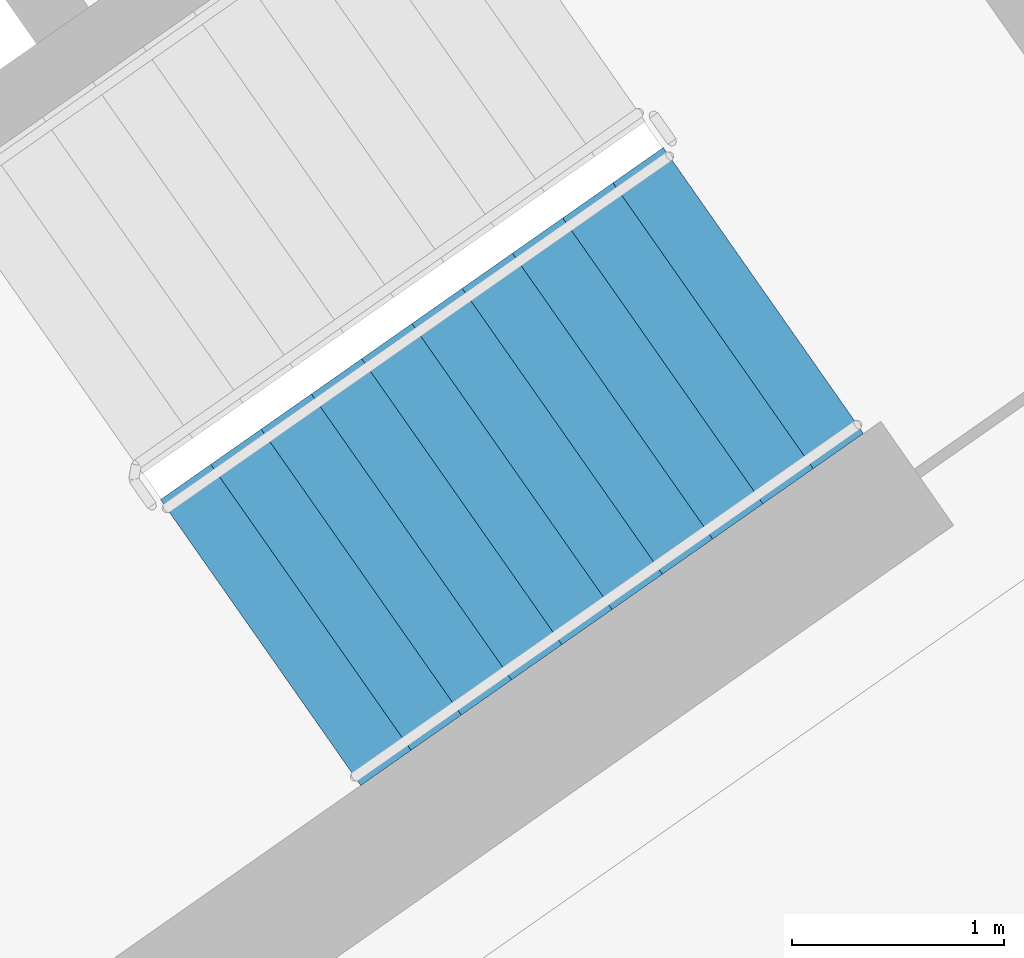
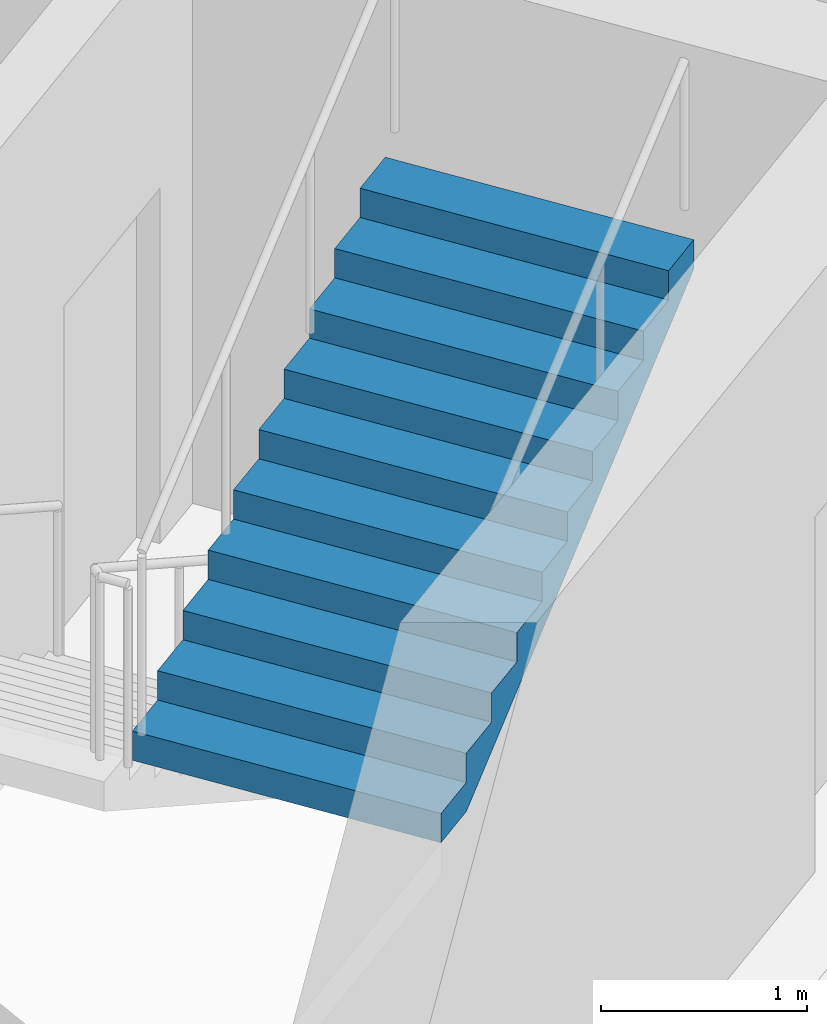
# One storey, part 13 of 27: 1 stair flight, 1 element without a shape of its own.
"""IFC4 building model written with IfcOpenShell, lengths in metres."""

from ifc_helpers import new_model, si_unit, direction, frame, origin, place, context, subcontext, project, spatial, faceted_brep, material, type_object, element, aggregate, save


model = new_model("IFC4")

# Units and contexts
model_context = context("Model", 3, precision=1e-05, world=origin(), true_north=direction((0.0, 1.0)))
body_context = subcontext(model_context, "Body", "Model", "MODEL_VIEW")
ifc_project = project(units=[si_unit("LENGTHUNIT", "METRE"), si_unit("AREAUNIT", "SQUARE_METRE"), si_unit("VOLUMEUNIT", "CUBIC_METRE"), si_unit("PLANEANGLEUNIT", "RADIAN"), si_unit("MASSUNIT", "GRAM", prefix="KILO")], contexts=[model_context])

# Site, building, storey
site_placement = place(None, origin())
site = spatial("IfcSite", under=ifc_project, at=site_placement, CompositionType="ELEMENT")
building_placement = place(site_placement, origin())
building = spatial("IfcBuilding", under=site, at=building_placement, Name="Qamariyya Broadcast Tower", CompositionType="ELEMENT")
storey_placement = place(building_placement, frame((0.0, 0.0, 237.89990234375)))
storey = spatial("IfcBuildingStorey", under=building, at=storey_placement, Name="L57", CompositionType="ELEMENT", Elevation=237.89990234375)

# Stair, stair flight
ifc_material = material(Name="Concrete C50/60", Category="concrete")
stair_type = type_object("IfcStairType", Name="Exit stair 22 risers of 173 mm", PredefinedType="HALF_TURN_STAIR", material=ifc_material)
stair_placement = place(storey_placement, origin())
stair = element("IfcStair", 1, at=stair_placement, inside=storey, type_object=stair_type, Name="L57 Stair E1", PredefinedType="HALF_TURN_STAIR")
stair_flight_type = type_object("IfcStairFlightType", Name="Exit stair flight 11 risers of 173 mm", PredefinedType="STRAIGHT", material=ifc_material)
stair_flight_placement = place(storey_placement, frame((44.693359375, -58.64599609375, 1.900146484375), z_axis=(0.0, 0.0, 1.0), x_axis=(0.819152044289, 0.573576436351, 0.0)))
stair_flight = element("IfcStairFlight", 2, at=stair_flight_placement, type_object=stair_flight_type, Name="ST-E1 flight 2", NumberOfRisers=11, NumberOfTreads=10, PredefinedType="STRAIGHT", RiserHeight=0.172727273, TreadLength=0.29, context=body_context, shape_type="Brep", body=[
    faceted_brep([(0.0, 0.824951171875, 0.0), (0.0, 0.824951171875, 0.172607421875), (0.2900390625, 0.824951171875, 0.172607421875), (0.2900390625, 0.824951171875, 0.345458984375), (0.580078125, 0.824951171875, 0.345458984375), (0.580078125, 0.824951171875, 0.51806640625), (0.8701171875, 0.824951171875, 0.51806640625), (0.8701171875, 0.824951171875, 0.69091796875), (1.159912109375, 0.824951171875, 0.69091796875), (1.159912109375, 0.824951171875, 0.863525390625), (1.449951171875, 0.824951171875, 0.863525390625), (1.449951171875, 0.824951171875, 1.036376953125), (1.739990234375, 0.824951171875, 1.036376953125), (1.739990234375, 0.824951171875, 1.208984375), (2.030029296875, 0.824951171875, 1.208984375), (2.030029296875, 0.824951171875, 1.3818359375), (2.320068359375, 0.824951171875, 1.3818359375), (2.320068359375, 0.824951171875, 1.554443359375), (2.610107421875, 0.824951171875, 1.554443359375), (2.610107421875, 0.824951171875, 1.727294921875), (2.89990234375, 0.824951171875, 1.727294921875), (2.89990234375, 0.824951171875, 1.552734375), (0.29296875, 0.824951171875, 0.0), (0.29296875, -0.824951171875, 0.0), (2.89990234375, -0.824951171875, 1.552734375), (2.89990234375, -0.824951171875, 1.727294921875), (2.610107421875, -0.824951171875, 1.727294921875), (2.610107421875, -0.824951171875, 1.554443359375), (2.320068359375, -0.824951171875, 1.554443359375), (2.320068359375, -0.824951171875, 1.3818359375), (2.030029296875, -0.824951171875, 1.3818359375), (2.030029296875, -0.824951171875, 1.208984375), (1.739990234375, -0.824951171875, 1.208984375), (1.739990234375, -0.824951171875, 1.036376953125), (1.449951171875, -0.824951171875, 1.036376953125), (1.449951171875, -0.824951171875, 0.863525390625), (1.159912109375, -0.824951171875, 0.863525390625), (1.159912109375, -0.824951171875, 0.69091796875), (0.8701171875, -0.824951171875, 0.69091796875), (0.8701171875, -0.824951171875, 0.51806640625), (0.580078125, -0.824951171875, 0.51806640625), (0.580078125, -0.824951171875, 0.345458984375), (0.2900390625, -0.824951171875, 0.345458984375), (0.2900390625, -0.824951171875, 0.172607421875), (0.0, -0.824951171875, 0.172607421875), (0.0, -0.824951171875, 0.0), (0.0, 0.10009765625, 0.0), (0.0, 0.086669921875, 0.0), (0.0, 0.0732421875, 0.0), (0.0, 0.06005859375, 0.0), (0.0, 0.046630859375, 0.0), (0.0, 0.033447265625, 0.0), (0.0, 0.02001953125, 0.0), (0.0, 0.006591796875, 0.0), (0.0, -0.006591796875, 0.0), (0.0, -0.02001953125, 0.0), (0.0, -0.033447265625, 0.0), (0.0, -0.046630859375, 0.0), (0.0, -0.06005859375, 0.0), (0.0, -0.0732421875, 0.0), (0.0, -0.086669921875, 0.0), (0.0, -0.10009765625, 0.0), (0.0, -0.10009765625, 0.172607421875), (0.0, -0.086669921875, 0.172607421875), (0.0, -0.0732421875, 0.172607421875), (0.0, -0.06005859375, 0.172607421875), (0.0, -0.046630859375, 0.172607421875), (0.0, -0.033447265625, 0.172607421875), (0.0, -0.02001953125, 0.172607421875), (0.0, -0.006591796875, 0.172607421875), (0.0, 0.006591796875, 0.172607421875), (0.0, 0.02001953125, 0.172607421875), (0.0, 0.033447265625, 0.172607421875), (0.0, 0.046630859375, 0.172607421875), (0.0, 0.06005859375, 0.172607421875), (0.0, 0.0732421875, 0.172607421875), (0.0, 0.086669921875, 0.172607421875), (0.0, 0.10009765625, 0.172607421875), (0.2900390625, -0.10009765625, 0.172607421875), (0.2900390625, -0.086669921875, 0.172607421875), (0.2900390625, -0.0732421875, 0.172607421875), (0.2900390625, -0.06005859375, 0.172607421875), (0.2900390625, -0.046630859375, 0.172607421875), (0.2900390625, -0.033447265625, 0.172607421875), (0.2900390625, -0.02001953125, 0.172607421875), (0.2900390625, -0.006591796875, 0.172607421875), (0.2900390625, 0.006591796875, 0.172607421875), (0.2900390625, 0.02001953125, 0.172607421875), (0.2900390625, 0.033447265625, 0.172607421875), (0.2900390625, 0.046630859375, 0.172607421875), (0.2900390625, 0.06005859375, 0.172607421875), (0.2900390625, 0.0732421875, 0.172607421875), (0.2900390625, 0.086669921875, 0.172607421875), (0.2900390625, 0.10009765625, 0.172607421875), (0.2900390625, -0.10009765625, 0.345458984375), (0.2900390625, -0.086669921875, 0.345458984375), (0.2900390625, -0.0732421875, 0.345458984375), (0.2900390625, -0.06005859375, 0.345458984375), (0.2900390625, -0.046630859375, 0.345458984375), (0.2900390625, -0.033447265625, 0.345458984375), (0.2900390625, -0.02001953125, 0.345458984375), (0.2900390625, -0.006591796875, 0.345458984375), (0.2900390625, 0.006591796875, 0.345458984375), (0.2900390625, 0.02001953125, 0.345458984375), (0.2900390625, 0.033447265625, 0.345458984375), (0.2900390625, 0.046630859375, 0.345458984375), (0.2900390625, 0.06005859375, 0.345458984375), (0.2900390625, 0.0732421875, 0.345458984375), (0.2900390625, 0.086669921875, 0.345458984375), (0.2900390625, 0.10009765625, 0.345458984375), (0.580078125, -0.10009765625, 0.345458984375), (0.580078125, -0.086669921875, 0.345458984375), (0.580078125, -0.0732421875, 0.345458984375), (0.580078125, -0.06005859375, 0.345458984375), (0.580078125, -0.046630859375, 0.345458984375), (0.580078125, -0.033447265625, 0.345458984375), (0.580078125, -0.02001953125, 0.345458984375), (0.580078125, -0.006591796875, 0.345458984375), (0.580078125, 0.006591796875, 0.345458984375), (0.580078125, 0.02001953125, 0.345458984375), (0.580078125, 0.033447265625, 0.345458984375), (0.580078125, 0.046630859375, 0.345458984375), (0.580078125, 0.06005859375, 0.345458984375), (0.580078125, 0.0732421875, 0.345458984375), (0.580078125, 0.086669921875, 0.345458984375), (0.580078125, 0.10009765625, 0.345458984375), (0.580078125, -0.10009765625, 0.51806640625), (0.580078125, -0.086669921875, 0.51806640625), (0.580078125, -0.0732421875, 0.51806640625), (0.580078125, -0.06005859375, 0.51806640625), (0.580078125, -0.046630859375, 0.51806640625), (0.580078125, -0.033447265625, 0.51806640625), (0.580078125, -0.02001953125, 0.51806640625), (0.580078125, -0.006591796875, 0.51806640625), (0.580078125, 0.006591796875, 0.51806640625), (0.580078125, 0.02001953125, 0.51806640625), (0.580078125, 0.033447265625, 0.51806640625), (0.580078125, 0.046630859375, 0.51806640625), (0.580078125, 0.06005859375, 0.51806640625), (0.580078125, 0.0732421875, 0.51806640625), (0.580078125, 0.086669921875, 0.51806640625), (0.580078125, 0.10009765625, 0.51806640625), (0.8701171875, -0.10009765625, 0.51806640625), (0.8701171875, -0.086669921875, 0.51806640625), (0.8701171875, -0.0732421875, 0.51806640625), (0.8701171875, -0.06005859375, 0.51806640625), (0.8701171875, -0.046630859375, 0.51806640625), (0.8701171875, -0.033447265625, 0.51806640625), (0.8701171875, -0.02001953125, 0.51806640625), (0.8701171875, -0.006591796875, 0.51806640625), (0.8701171875, 0.006591796875, 0.51806640625), (0.8701171875, 0.02001953125, 0.51806640625), (0.8701171875, 0.033447265625, 0.51806640625), (0.8701171875, 0.046630859375, 0.51806640625), (0.8701171875, 0.06005859375, 0.51806640625), (0.8701171875, 0.0732421875, 0.51806640625), (0.8701171875, 0.086669921875, 0.51806640625), (0.8701171875, 0.10009765625, 0.51806640625), (0.8701171875, -0.10009765625, 0.69091796875), (0.8701171875, -0.086669921875, 0.69091796875), (0.8701171875, -0.0732421875, 0.69091796875), (0.8701171875, -0.06005859375, 0.69091796875), (0.8701171875, -0.046630859375, 0.69091796875), (0.8701171875, -0.033447265625, 0.69091796875), (0.8701171875, -0.02001953125, 0.69091796875), (0.8701171875, -0.006591796875, 0.69091796875), (0.8701171875, 0.006591796875, 0.69091796875), (0.8701171875, 0.02001953125, 0.69091796875), (0.8701171875, 0.033447265625, 0.69091796875), (0.8701171875, 0.046630859375, 0.69091796875), (0.8701171875, 0.06005859375, 0.69091796875), (0.8701171875, 0.0732421875, 0.69091796875), (0.8701171875, 0.086669921875, 0.69091796875), (0.8701171875, 0.10009765625, 0.69091796875), (1.159912109375, -0.10009765625, 0.69091796875), (1.159912109375, -0.086669921875, 0.69091796875), (1.159912109375, -0.0732421875, 0.69091796875), (1.159912109375, -0.06005859375, 0.69091796875), (1.159912109375, -0.046630859375, 0.69091796875), (1.159912109375, -0.033447265625, 0.69091796875), (1.159912109375, -0.02001953125, 0.69091796875), (1.159912109375, -0.006591796875, 0.69091796875), (1.159912109375, 0.006591796875, 0.69091796875), (1.159912109375, 0.02001953125, 0.69091796875), (1.159912109375, 0.033447265625, 0.69091796875), (1.159912109375, 0.046630859375, 0.69091796875), (1.159912109375, 0.06005859375, 0.69091796875), (1.159912109375, 0.0732421875, 0.69091796875), (1.159912109375, 0.086669921875, 0.69091796875), (1.159912109375, 0.10009765625, 0.69091796875), (1.159912109375, -0.10009765625, 0.863525390625), (1.159912109375, -0.086669921875, 0.863525390625), (1.159912109375, -0.0732421875, 0.863525390625), (1.159912109375, -0.06005859375, 0.863525390625), (1.159912109375, -0.046630859375, 0.863525390625), (1.159912109375, -0.033447265625, 0.863525390625), (1.159912109375, -0.02001953125, 0.863525390625), (1.159912109375, -0.006591796875, 0.863525390625), (1.159912109375, 0.006591796875, 0.863525390625), (1.159912109375, 0.02001953125, 0.863525390625), (1.159912109375, 0.033447265625, 0.863525390625), (1.159912109375, 0.046630859375, 0.863525390625), (1.159912109375, 0.06005859375, 0.863525390625), (1.159912109375, 0.0732421875, 0.863525390625), (1.159912109375, 0.086669921875, 0.863525390625), (1.159912109375, 0.10009765625, 0.863525390625), (1.449951171875, -0.10009765625, 0.863525390625), (1.449951171875, -0.086669921875, 0.863525390625), (1.449951171875, -0.0732421875, 0.863525390625), (1.449951171875, -0.06005859375, 0.863525390625), (1.449951171875, -0.046630859375, 0.863525390625), (1.449951171875, -0.033447265625, 0.863525390625), (1.449951171875, -0.02001953125, 0.863525390625), (1.449951171875, -0.006591796875, 0.863525390625), (1.449951171875, 0.006591796875, 0.863525390625), (1.449951171875, 0.02001953125, 0.863525390625), (1.449951171875, 0.033447265625, 0.863525390625), (1.449951171875, 0.046630859375, 0.863525390625), (1.449951171875, 0.06005859375, 0.863525390625), (1.449951171875, 0.0732421875, 0.863525390625), (1.449951171875, 0.086669921875, 0.863525390625), (1.449951171875, 0.10009765625, 0.863525390625), (1.449951171875, -0.10009765625, 1.036376953125), (1.449951171875, -0.086669921875, 1.036376953125), (1.449951171875, -0.0732421875, 1.036376953125), (1.449951171875, -0.06005859375, 1.036376953125), (1.449951171875, -0.046630859375, 1.036376953125), (1.449951171875, -0.033447265625, 1.036376953125), (1.449951171875, -0.02001953125, 1.036376953125), (1.449951171875, -0.006591796875, 1.036376953125), (1.449951171875, 0.006591796875, 1.036376953125), (1.449951171875, 0.02001953125, 1.036376953125), (1.449951171875, 0.033447265625, 1.036376953125), (1.449951171875, 0.046630859375, 1.036376953125), (1.449951171875, 0.06005859375, 1.036376953125), (1.449951171875, 0.0732421875, 1.036376953125), (1.449951171875, 0.086669921875, 1.036376953125), (1.449951171875, 0.10009765625, 1.036376953125), (1.739990234375, -0.10009765625, 1.036376953125), (1.739990234375, -0.086669921875, 1.036376953125), (1.739990234375, -0.0732421875, 1.036376953125), (1.739990234375, -0.06005859375, 1.036376953125), (1.739990234375, -0.046630859375, 1.036376953125), (1.739990234375, -0.033447265625, 1.036376953125), (1.739990234375, -0.02001953125, 1.036376953125), (1.739990234375, -0.006591796875, 1.036376953125), (1.739990234375, 0.006591796875, 1.036376953125), (1.739990234375, 0.02001953125, 1.036376953125), (1.739990234375, 0.033447265625, 1.036376953125), (1.739990234375, 0.046630859375, 1.036376953125), (1.739990234375, 0.06005859375, 1.036376953125), (1.739990234375, 0.0732421875, 1.036376953125), (1.739990234375, 0.086669921875, 1.036376953125), (1.739990234375, 0.10009765625, 1.036376953125), (1.739990234375, -0.10009765625, 1.208984375), (1.739990234375, -0.086669921875, 1.208984375), (1.739990234375, -0.0732421875, 1.208984375), (1.739990234375, -0.06005859375, 1.208984375), (1.739990234375, -0.046630859375, 1.208984375), (1.739990234375, -0.033447265625, 1.208984375), (1.739990234375, -0.02001953125, 1.208984375), (1.739990234375, -0.006591796875, 1.208984375), (1.739990234375, 0.006591796875, 1.208984375), (1.739990234375, 0.02001953125, 1.208984375), (1.739990234375, 0.033447265625, 1.208984375), (1.739990234375, 0.046630859375, 1.208984375), (1.739990234375, 0.06005859375, 1.208984375), (1.739990234375, 0.0732421875, 1.208984375), (1.739990234375, 0.086669921875, 1.208984375), (1.739990234375, 0.10009765625, 1.208984375), (2.030029296875, -0.10009765625, 1.208984375), (2.030029296875, -0.086669921875, 1.208984375), (2.030029296875, -0.0732421875, 1.208984375), (2.030029296875, -0.06005859375, 1.208984375), (2.030029296875, -0.046630859375, 1.208984375), (2.030029296875, -0.033447265625, 1.208984375), (2.030029296875, -0.02001953125, 1.208984375), (2.030029296875, -0.006591796875, 1.208984375), (2.030029296875, 0.006591796875, 1.208984375), (2.030029296875, 0.02001953125, 1.208984375), (2.030029296875, 0.033447265625, 1.208984375), (2.030029296875, 0.046630859375, 1.208984375), (2.030029296875, 0.06005859375, 1.208984375), (2.030029296875, 0.0732421875, 1.208984375), (2.030029296875, 0.086669921875, 1.208984375), (2.030029296875, 0.10009765625, 1.208984375), (2.030029296875, -0.10009765625, 1.3818359375), (2.030029296875, -0.086669921875, 1.3818359375), (2.030029296875, -0.0732421875, 1.3818359375), (2.030029296875, -0.06005859375, 1.3818359375), (2.030029296875, -0.046630859375, 1.3818359375), (2.030029296875, -0.033447265625, 1.3818359375), (2.030029296875, -0.02001953125, 1.3818359375), (2.030029296875, -0.006591796875, 1.3818359375), (2.030029296875, 0.006591796875, 1.3818359375), (2.030029296875, 0.02001953125, 1.3818359375), (2.030029296875, 0.033447265625, 1.3818359375), (2.030029296875, 0.046630859375, 1.3818359375), (2.030029296875, 0.06005859375, 1.3818359375), (2.030029296875, 0.0732421875, 1.3818359375), (2.030029296875, 0.086669921875, 1.3818359375), (2.030029296875, 0.10009765625, 1.3818359375), (2.320068359375, -0.10009765625, 1.3818359375), (2.320068359375, -0.086669921875, 1.3818359375), (2.320068359375, -0.0732421875, 1.3818359375), (2.320068359375, -0.06005859375, 1.3818359375), (2.320068359375, -0.046630859375, 1.3818359375), (2.320068359375, -0.033447265625, 1.3818359375), (2.320068359375, -0.02001953125, 1.3818359375), (2.320068359375, -0.006591796875, 1.3818359375), (2.320068359375, 0.006591796875, 1.3818359375), (2.320068359375, 0.02001953125, 1.3818359375), (2.320068359375, 0.033447265625, 1.3818359375), (2.320068359375, 0.046630859375, 1.3818359375), (2.320068359375, 0.06005859375, 1.3818359375), (2.320068359375, 0.0732421875, 1.3818359375), (2.320068359375, 0.086669921875, 1.3818359375), (2.320068359375, 0.10009765625, 1.3818359375), (2.320068359375, -0.10009765625, 1.554443359375), (2.320068359375, -0.086669921875, 1.554443359375), (2.320068359375, -0.0732421875, 1.554443359375), (2.320068359375, -0.06005859375, 1.554443359375), (2.320068359375, -0.046630859375, 1.554443359375), (2.320068359375, -0.033447265625, 1.554443359375), (2.320068359375, -0.02001953125, 1.554443359375), (2.320068359375, -0.006591796875, 1.554443359375), (2.320068359375, 0.006591796875, 1.554443359375), (2.320068359375, 0.02001953125, 1.554443359375), (2.320068359375, 0.033447265625, 1.554443359375), (2.320068359375, 0.046630859375, 1.554443359375), (2.320068359375, 0.06005859375, 1.554443359375), (2.320068359375, 0.0732421875, 1.554443359375), (2.320068359375, 0.086669921875, 1.554443359375), (2.320068359375, 0.10009765625, 1.554443359375), (2.610107421875, -0.10009765625, 1.554443359375), (2.610107421875, -0.086669921875, 1.554443359375), (2.610107421875, -0.0732421875, 1.554443359375), (2.610107421875, -0.06005859375, 1.554443359375), (2.610107421875, -0.046630859375, 1.554443359375), (2.610107421875, -0.033447265625, 1.554443359375), (2.610107421875, -0.02001953125, 1.554443359375), (2.610107421875, -0.006591796875, 1.554443359375), (2.610107421875, 0.006591796875, 1.554443359375), (2.610107421875, 0.02001953125, 1.554443359375), (2.610107421875, 0.033447265625, 1.554443359375), (2.610107421875, 0.046630859375, 1.554443359375), (2.610107421875, 0.06005859375, 1.554443359375), (2.610107421875, 0.0732421875, 1.554443359375), (2.610107421875, 0.086669921875, 1.554443359375), (2.610107421875, 0.10009765625, 1.554443359375), (2.610107421875, -0.10009765625, 1.727294921875), (2.610107421875, -0.086669921875, 1.727294921875), (2.610107421875, -0.0732421875, 1.727294921875), (2.610107421875, -0.06005859375, 1.727294921875), (2.610107421875, -0.046630859375, 1.727294921875), (2.610107421875, -0.033447265625, 1.727294921875), (2.610107421875, -0.02001953125, 1.727294921875), (2.610107421875, -0.006591796875, 1.727294921875), (2.610107421875, 0.006591796875, 1.727294921875), (2.610107421875, 0.02001953125, 1.727294921875), (2.610107421875, 0.033447265625, 1.727294921875), (2.610107421875, 0.046630859375, 1.727294921875), (2.610107421875, 0.06005859375, 1.727294921875), (2.610107421875, 0.0732421875, 1.727294921875), (2.610107421875, 0.086669921875, 1.727294921875), (2.610107421875, 0.10009765625, 1.727294921875), (2.89990234375, -0.10009765625, 1.727294921875), (2.89990234375, -0.086669921875, 1.727294921875), (2.89990234375, -0.0732421875, 1.727294921875), (2.89990234375, -0.06005859375, 1.727294921875), (2.89990234375, -0.046630859375, 1.727294921875), (2.89990234375, -0.033447265625, 1.727294921875), (2.89990234375, -0.02001953125, 1.727294921875), (2.89990234375, -0.006591796875, 1.727294921875), (2.89990234375, 0.006591796875, 1.727294921875), (2.89990234375, 0.02001953125, 1.727294921875), (2.89990234375, 0.033447265625, 1.727294921875), (2.89990234375, 0.046630859375, 1.727294921875), (2.89990234375, 0.06005859375, 1.727294921875), (2.89990234375, 0.0732421875, 1.727294921875), (2.89990234375, 0.086669921875, 1.727294921875), (2.89990234375, 0.10009765625, 1.727294921875), (2.89990234375, -0.10009765625, 1.552734375), (2.89990234375, -0.086669921875, 1.552734375), (2.89990234375, -0.0732421875, 1.552734375), (2.89990234375, -0.06005859375, 1.552734375), (2.89990234375, -0.046630859375, 1.552734375), (2.89990234375, -0.033447265625, 1.552734375), (2.89990234375, -0.02001953125, 1.552734375), (2.89990234375, -0.006591796875, 1.552734375), (2.89990234375, 0.006591796875, 1.552734375), (2.89990234375, 0.02001953125, 1.552734375), (2.89990234375, 0.033447265625, 1.552734375), (2.89990234375, 0.046630859375, 1.552734375), (2.89990234375, 0.06005859375, 1.552734375), (2.89990234375, 0.0732421875, 1.552734375), (2.89990234375, 0.086669921875, 1.552734375), (2.89990234375, 0.10009765625, 1.552734375), (0.29296875, -0.10009765625, 0.0), (0.29296875, -0.086669921875, 0.0), (0.29296875, -0.0732421875, 0.0), (0.29296875, -0.06005859375, 0.0), (0.29296875, -0.046630859375, 0.0), (0.29296875, -0.033447265625, 0.0), (0.29296875, -0.02001953125, 0.0), (0.29296875, -0.006591796875, 0.0), (0.29296875, 0.006591796875, 0.0), (0.29296875, 0.02001953125, 0.0), (0.29296875, 0.033447265625, 0.0), (0.29296875, 0.046630859375, 0.0), (0.29296875, 0.06005859375, 0.0), (0.29296875, 0.0732421875, 0.0), (0.29296875, 0.086669921875, 0.0), (0.29296875, 0.10009765625, 0.0)], [[[0, 1, 2, 3, 4, 5, 6, 7, 8, 9, 10, 11, 12, 13, 14, 15, 16, 17, 18, 19, 20, 21, 22]], [[23, 24, 25, 26, 27, 28, 29, 30, 31, 32, 33, 34, 35, 36, 37, 38, 39, 40, 41, 42, 43, 44, 45]], [[0, 46, 47, 48, 49, 50, 51, 52, 53, 54, 55, 56, 57, 58, 59, 60, 61, 45, 44, 62, 63, 64, 65, 66, 67, 68, 69, 70, 71, 72, 73, 74, 75, 76, 77, 1]], [[1, 77, 76, 75, 74, 73, 72, 71, 70, 69, 68, 67, 66, 65, 64, 63, 62, 44, 43, 78, 79, 80, 81, 82, 83, 84, 85, 86, 87, 88, 89, 90, 91, 92, 93, 2]], [[2, 93, 92, 91, 90, 89, 88, 87, 86, 85, 84, 83, 82, 81, 80, 79, 78, 43, 42, 94, 95, 96, 97, 98, 99, 100, 101, 102, 103, 104, 105, 106, 107, 108, 109, 3]], [[3, 109, 108, 107, 106, 105, 104, 103, 102, 101, 100, 99, 98, 97, 96, 95, 94, 42, 41, 110, 111, 112, 113, 114, 115, 116, 117, 118, 119, 120, 121, 122, 123, 124, 125, 4]], [[4, 125, 124, 123, 122, 121, 120, 119, 118, 117, 116, 115, 114, 113, 112, 111, 110, 41, 40, 126, 127, 128, 129, 130, 131, 132, 133, 134, 135, 136, 137, 138, 139, 140, 141, 5]], [[5, 141, 140, 139, 138, 137, 136, 135, 134, 133, 132, 131, 130, 129, 128, 127, 126, 40, 39, 142, 143, 144, 145, 146, 147, 148, 149, 150, 151, 152, 153, 154, 155, 156, 157, 6]], [[6, 157, 156, 155, 154, 153, 152, 151, 150, 149, 148, 147, 146, 145, 144, 143, 142, 39, 38, 158, 159, 160, 161, 162, 163, 164, 165, 166, 167, 168, 169, 170, 171, 172, 173, 7]], [[7, 173, 172, 171, 170, 169, 168, 167, 166, 165, 164, 163, 162, 161, 160, 159, 158, 38, 37, 174, 175, 176, 177, 178, 179, 180, 181, 182, 183, 184, 185, 186, 187, 188, 189, 8]], [[8, 189, 188, 187, 186, 185, 184, 183, 182, 181, 180, 179, 178, 177, 176, 175, 174, 37, 36, 190, 191, 192, 193, 194, 195, 196, 197, 198, 199, 200, 201, 202, 203, 204, 205, 9]], [[9, 205, 204, 203, 202, 201, 200, 199, 198, 197, 196, 195, 194, 193, 192, 191, 190, 36, 35, 206, 207, 208, 209, 210, 211, 212, 213, 214, 215, 216, 217, 218, 219, 220, 221, 10]], [[10, 221, 220, 219, 218, 217, 216, 215, 214, 213, 212, 211, 210, 209, 208, 207, 206, 35, 34, 222, 223, 224, 225, 226, 227, 228, 229, 230, 231, 232, 233, 234, 235, 236, 237, 11]], [[11, 237, 236, 235, 234, 233, 232, 231, 230, 229, 228, 227, 226, 225, 224, 223, 222, 34, 33, 238, 239, 240, 241, 242, 243, 244, 245, 246, 247, 248, 249, 250, 251, 252, 253, 12]], [[12, 253, 252, 251, 250, 249, 248, 247, 246, 245, 244, 243, 242, 241, 240, 239, 238, 33, 32, 254, 255, 256, 257, 258, 259, 260, 261, 262, 263, 264, 265, 266, 267, 268, 269, 13]], [[13, 269, 268, 267, 266, 265, 264, 263, 262, 261, 260, 259, 258, 257, 256, 255, 254, 32, 31, 270, 271, 272, 273, 274, 275, 276, 277, 278, 279, 280, 281, 282, 283, 284, 285, 14]], [[14, 285, 284, 283, 282, 281, 280, 279, 278, 277, 276, 275, 274, 273, 272, 271, 270, 31, 30, 286, 287, 288, 289, 290, 291, 292, 293, 294, 295, 296, 297, 298, 299, 300, 301, 15]], [[15, 301, 300, 299, 298, 297, 296, 295, 294, 293, 292, 291, 290, 289, 288, 287, 286, 30, 29, 302, 303, 304, 305, 306, 307, 308, 309, 310, 311, 312, 313, 314, 315, 316, 317, 16]], [[16, 317, 316, 315, 314, 313, 312, 311, 310, 309, 308, 307, 306, 305, 304, 303, 302, 29, 28, 318, 319, 320, 321, 322, 323, 324, 325, 326, 327, 328, 329, 330, 331, 332, 333, 17]], [[17, 333, 332, 331, 330, 329, 328, 327, 326, 325, 324, 323, 322, 321, 320, 319, 318, 28, 27, 334, 335, 336, 337, 338, 339, 340, 341, 342, 343, 344, 345, 346, 347, 348, 349, 18]], [[18, 349, 348, 347, 346, 345, 344, 343, 342, 341, 340, 339, 338, 337, 336, 335, 334, 27, 26, 350, 351, 352, 353, 354, 355, 356, 357, 358, 359, 360, 361, 362, 363, 364, 365, 19]], [[19, 365, 364, 363, 362, 361, 360, 359, 358, 357, 356, 355, 354, 353, 352, 351, 350, 26, 25, 366, 367, 368, 369, 370, 371, 372, 373, 374, 375, 376, 377, 378, 379, 380, 381, 20]], [[20, 381, 380, 379, 378, 377, 376, 375, 374, 373, 372, 371, 370, 369, 368, 367, 366, 25, 24, 382, 383, 384, 385, 386, 387, 388, 389, 390, 391, 392, 393, 394, 395, 396, 397, 21]], [[21, 397, 396, 395, 394, 393, 392, 391, 390, 389, 388, 387, 386, 385, 384, 383, 382, 24, 23, 398, 399, 400, 401, 402, 403, 404, 405, 406, 407, 408, 409, 410, 411, 412, 413, 22]], [[22, 413, 412, 411, 410, 409, 408, 407, 406, 405, 404, 403, 402, 401, 400, 399, 398, 23, 45, 61, 60, 59, 58, 57, 56, 55, 54, 53, 52, 51, 50, 49, 48, 47, 46, 0]]]),
])
aggregate(stair, [stair_flight])

save(model, "model.ifc")
